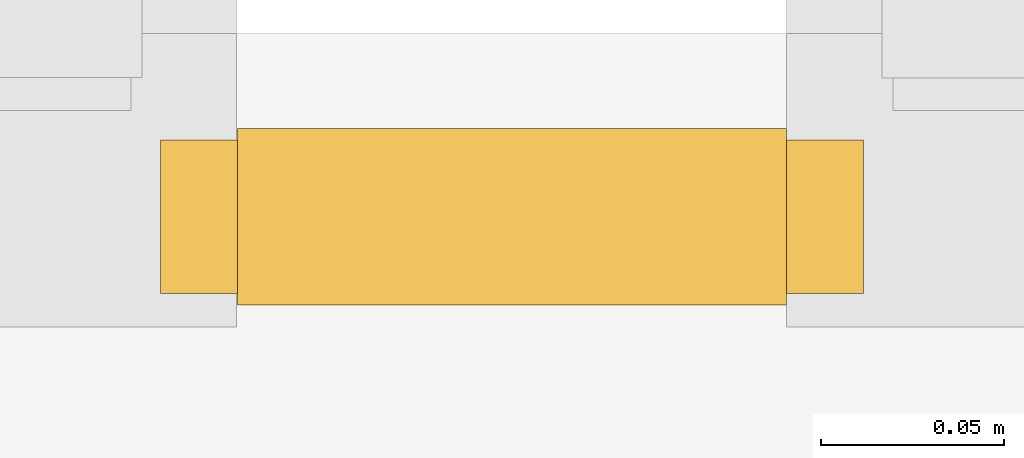
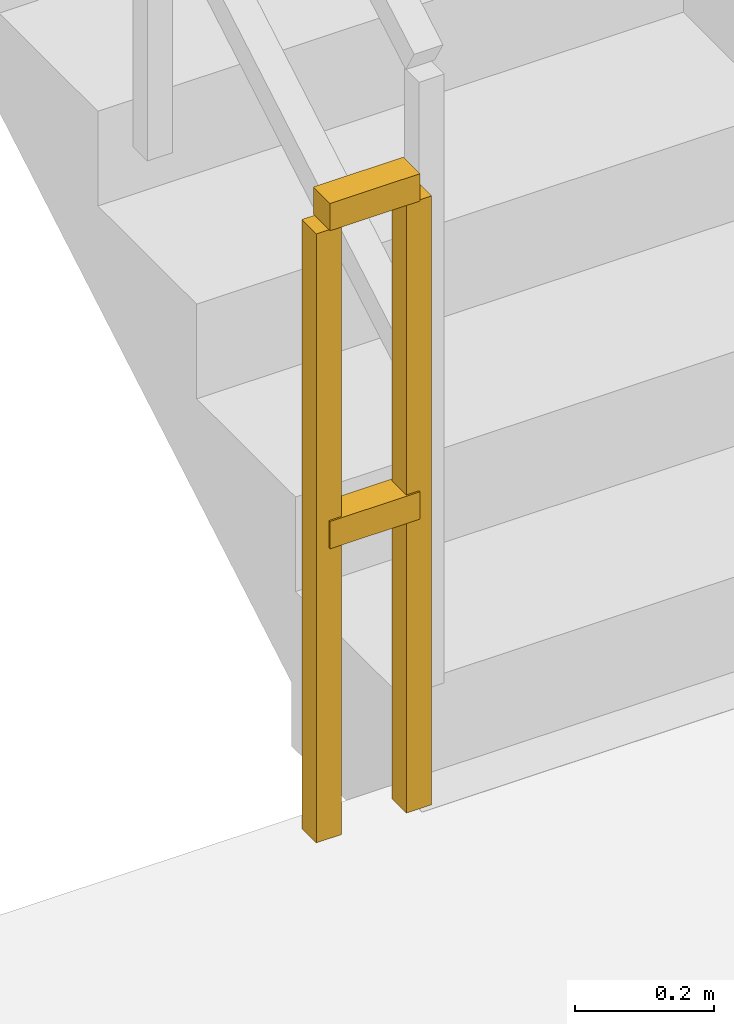
# One storey, part 12 of 17: 1 railing.
"""IFC4 building model written with IfcOpenShell, lengths in metres."""

import ifcopenshell
import ifcopenshell.guid

model = None  # the IFC model being written
_history = None  # IfcOwnerHistory: only IFC2X3 demands one
_inside = {}  # id of a spatial element -> (the spatial element, [elements in it])
_under = {}  # id of a project, library or spatial element -> (it, [spatial elements below it])
_declared = {}  # id of a project -> (the project, [libraries it declares])
_typed = {}  # id of a type object -> (the type object, [elements of that type])
_made_of = {}  # id of a material, layer set ... -> (it, [elements and type objects made of it])


def new_model(schema):
    """Start an empty IFC model of exactly this schema.

    Asked for "IFC4X3", IfcOpenShell would pick the latest addendum, in which some entities
    have other attributes; the version numbers below select the first issue.
    IFC2X3 requires an IfcOwnerHistory on every rooted entity: one is made here for all.
    """
    global model, _history
    if schema == "IFC4X3":
        model = ifcopenshell.file(schema_version=(4, 3, 0, 0))
    else:
        model = ifcopenshell.file(schema=schema)
    _inside.clear()
    _under.clear()
    _declared.clear()
    _typed.clear()
    _made_of.clear()
    _history = None
    if model.schema == "IFC2X3":
        org = make("IfcOrganization", Name="unknown")
        user = make(
            "IfcPersonAndOrganization",
            ThePerson=make("IfcPerson", FamilyName="unknown"),
            TheOrganization=org,
        )
        app = make(
            "IfcApplication",
            ApplicationDeveloper=org,
            Version="unknown",
            ApplicationFullName="unknown",
            ApplicationIdentifier="unknown",
        )
        _history = make(
            "IfcOwnerHistory",
            OwningUser=user,
            OwningApplication=app,
            ChangeAction="ADDED",
            CreationDate=0,
        )
    return model


def make(cls, **values):
    """One entity of the class cls with the attributes given. An attribute that is None is left unset."""
    return model.create_entity(
        cls, **{name: value for name, value in values.items() if value is not None}
    )


def rooted(cls, **values):
    """An entity with a GlobalId (a new one), such as an element, a storey or a relation."""
    return make(cls, GlobalId=ifcopenshell.guid.new(), OwnerHistory=_history, **values)


def si_unit(unit_type, name, prefix=None):
    """IfcSIUnit, for example si_unit("LENGTHUNIT", "METRE", prefix="MILLI")."""
    return make("IfcSIUnit", UnitType=unit_type, Prefix=prefix, Name=name)


def assignment(units):
    """IfcUnitAssignment: the units of a project."""
    return None if units is None else make("IfcUnitAssignment", Units=units)


def point(xyz):
    """IfcCartesianPoint."""
    return None if xyz is None else make("IfcCartesianPoint", Coordinates=xyz)


def direction(xyz):
    """IfcDirection."""
    return None if xyz is None else make("IfcDirection", DirectionRatios=xyz)


def frame(location, z_axis=None, x_axis=None):
    """IfcAxis2Placement3D, a coordinate frame: its origin and axes. An axis left out is left unset."""
    return make(
        "IfcAxis2Placement3D",
        Location=point(location),
        Axis=direction(z_axis),
        RefDirection=direction(x_axis),
    )


def frame_2d(location, x_axis=None):
    """IfcAxis2Placement2D, a coordinate frame in the plane: its origin and x axis."""
    return make(
        "IfcAxis2Placement2D", Location=point(location), RefDirection=direction(x_axis)
    )


def origin():
    """The frame at (0, 0, 0) with its axes left unset."""
    return frame((0.0, 0.0, 0.0))


def origin_2d():
    """The frame at (0, 0) in the plane with its x axis left unset."""
    return frame_2d((0.0, 0.0))


def place(relative_to, where):
    """IfcLocalPlacement: puts the frame where relative to a parent placement (None: the world)."""
    return make(
        "IfcLocalPlacement", PlacementRelTo=relative_to, RelativePlacement=where
    )


def context(
    kind, dimensions, precision=None, world=None, true_north=None, identifier=None
):
    """IfcGeometricRepresentationContext, for example the 3D "Model" context."""
    return make(
        "IfcGeometricRepresentationContext",
        ContextIdentifier=identifier,
        ContextType=kind,
        CoordinateSpaceDimension=dimensions,
        Precision=precision,
        WorldCoordinateSystem=world,
        TrueNorth=true_north,
    )


def subcontext(parent, identifier, kind, view, scale=None):
    """IfcGeometricRepresentationSubContext, for example "Body" below "Model"."""
    return make(
        "IfcGeometricRepresentationSubContext",
        ContextIdentifier=identifier,
        ContextType=kind,
        ParentContext=parent,
        TargetScale=scale,
        TargetView=view,
    )


def project(units=None, contexts=None):
    """IfcProject with its units and contexts."""
    return rooted(
        "IfcProject",
        Name="project",
        RepresentationContexts=contexts,
        UnitsInContext=assignment(units),
    )


def spatial(cls, under=None, at=None, **own):
    """A site, building, storey or space (cls), placed at a placement, below another one or the project."""
    s = rooted(cls, ObjectPlacement=at, **own)
    if under is not None:
        _under.setdefault(under.id(), (under, []))[1].append(s)
    return s


def profile(cls, at=None, kind="AREA", **sizes):
    """A parametric profile (cls). Its sizes go by their IFC names, for example OverallWidth=200.0."""
    return make(cls, ProfileType=kind, Position=at, **sizes)


def rectangle(**sizes):
    """IfcRectangleProfileDef."""
    return profile("IfcRectangleProfileDef", **sizes)


def extrude(swept, where, along, depth):
    """IfcExtrudedAreaSolid: the profile swept, set in the frame where, extruded along a direction by depth."""
    return make(
        "IfcExtrudedAreaSolid",
        SweptArea=swept,
        Position=where,
        ExtrudedDirection=direction(along),
        Depth=depth,
    )


def shape(context_of_items, identifier, shape_type, items):
    """IfcShapeRepresentation: the items that make up one representation, for example the "Body"."""
    return make(
        "IfcShapeRepresentation",
        ContextOfItems=context_of_items,
        RepresentationIdentifier=identifier,
        RepresentationType=shape_type,
        Items=items,
    )


def material(Name=None, Category=None):
    """IfcMaterial."""
    return make("IfcMaterial", Name=Name, Category=Category)


def made_of(thing, what):
    """Note that an element or type object is made of a material, layer set ...; save() writes the relation."""
    if what is not None:
        _made_of.setdefault(what.id(), (what, []))[1].append(thing)
    return thing


def type_object(cls, material=None, **own):
    """A type object (cls), such as IfcWallType, which elements share."""
    return made_of(rooted(cls, **own), material)


def element(
    cls,
    number,
    at=None,
    inside=None,
    cuts=None,
    type_object=None,
    material=None,
    context=None,
    identifier="Body",
    shape_type=None,
    held_by="IfcProductDefinitionShape",
    body=None,
    shapes=None,
    **own,
):
    """One element of the class cls, such as IfcWall. Its Tag is "e" and its number.

    at: its placement. inside: the storey or other place that contains it. cuts: it is an
    opening in that element (IfcRelVoidsElement). A single representation is given by context,
    identifier, shape_type and body (its items); several are given by shapes. held_by: the class
    of the entity that holds the representations. save() writes the other relations.
    """
    e = rooted(cls, Tag="e%d" % number, ObjectPlacement=at, **own)
    if body is not None:
        shapes = [shape(context, identifier, shape_type, body)]
    if shapes is not None:
        e.Representation = make(held_by, Representations=shapes)
    if inside is not None:
        _inside.setdefault(inside.id(), (inside, []))[1].append(e)
    if cuts is not None:
        rooted(
            "IfcRelVoidsElement", RelatingBuildingElement=cuts, RelatedOpeningElement=e
        )
    if type_object is not None:
        _typed.setdefault(type_object.id(), (type_object, []))[1].append(e)
    return made_of(e, material)


def aggregate(whole, parts):
    """IfcRelAggregates: a whole, such as a stair, and the parts it consists of."""
    return rooted("IfcRelAggregates", RelatingObject=whole, RelatedObjects=parts)


def save(model, path):
    """Write the relations noted so far, then the file.

    IfcRelAggregates (storeys below a building ...), IfcRelContainedInSpatialStructure (elements
    in a storey), IfcRelDefinesByType, IfcRelAssociatesMaterial and IfcRelDeclares: one each for
    every whole, place, type object, material and project.
    """
    for whole, parts in _under.values():
        aggregate(whole, parts)
    for where, things in _inside.values():
        rooted(
            "IfcRelContainedInSpatialStructure",
            RelatedElements=things,
            RelatingStructure=where,
        )
    for kind, things in _typed.values():
        rooted("IfcRelDefinesByType", RelatedObjects=things, RelatingType=kind)
    for what, things in _made_of.values():
        rooted("IfcRelAssociatesMaterial", RelatedObjects=things, RelatingMaterial=what)
    for by, libraries in _declared.values():
        rooted("IfcRelDeclares", RelatingContext=by, RelatedDefinitions=libraries)
    model.write(path)


model = new_model("IFC4")

# Units and contexts
model_context = context("Model", 3, precision=1e-05, world=origin(), true_north=direction((0.0, 1.0)))
body_context = subcontext(model_context, "Body", "Model", "MODEL_VIEW")
ifc_project = project(units=[si_unit("LENGTHUNIT", "METRE"), si_unit("AREAUNIT", "SQUARE_METRE"), si_unit("VOLUMEUNIT", "CUBIC_METRE"), si_unit("PLANEANGLEUNIT", "RADIAN"), si_unit("MASSUNIT", "GRAM", prefix="KILO")], contexts=[model_context])

# Site, building, storey
site_placement = place(None, origin())
site = spatial("IfcSite", under=ifc_project, at=site_placement, CompositionType="ELEMENT")
building_placement = place(site_placement, origin())
building = spatial("IfcBuilding", under=site, at=building_placement, Name="Apsidion Concourse Tower", CompositionType="ELEMENT")
storey_placement = place(building_placement, frame((0.0, 0.0, 75.0)))
storey = spatial("IfcBuildingStorey", under=building, at=storey_placement, Name="L16", CompositionType="ELEMENT", Elevation=75.0)

# Railing
ifc_material = material(Name="Brushed stainless steel 316", Category="steel")
railing_type = type_object("IfcRailingType", Name="RL-GUARD-1100", PredefinedType="GUARDRAIL", material=ifc_material)
railing_placement = place(storey_placement, frame((-5.5, 2.949951171875, 0.0)))
element("IfcRailing", 1, at=railing_placement, inside=storey, type_object=railing_type, Name="L16 ST1 stair guard 4", PredefinedType="GUARDRAIL", context=body_context, shape_type="SweptSolid", body=[
    extrude(rectangle(XDim=0.048095703125, YDim=0.048095703125, at=origin_2d()), frame((0.0, 0.0, 1.09619140625), z_axis=(-1.0, 0.0, 0.0), x_axis=(0.0, -1.0, 0.0)), (0.0, 0.0, 1.0), 0.14990234375),
    extrude(rectangle(XDim=0.048095703125, YDim=0.048095703125, at=origin_2d()), frame((0.0, 0.0, 0.5361328125), z_axis=(-1.0, 0.0, 0.0), x_axis=(0.0, -1.0, 0.0)), (0.0, 0.0, 1.0), 0.14990234375),
    extrude(rectangle(XDim=0.0419921875, YDim=0.0419921875, at=origin_2d()), origin(), (0.0, 0.0, 1.0), 1.072021484375),
    extrude(rectangle(XDim=0.0419921875, YDim=0.0419921875, at=origin_2d()), frame((-0.14990234375, 0.0, 0.0)), (0.0, 0.0, 1.0), 1.072021484375),
])

save(model, "model.ifc")
